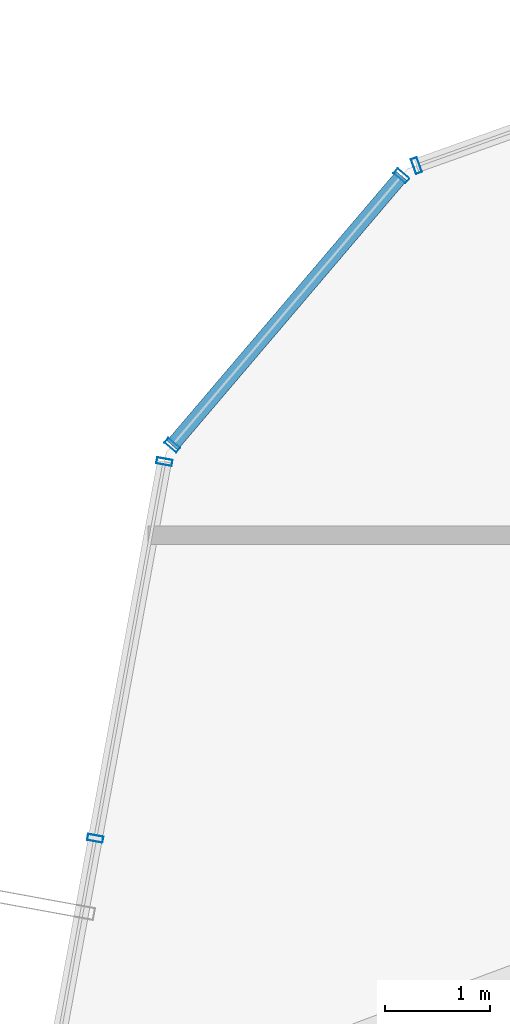
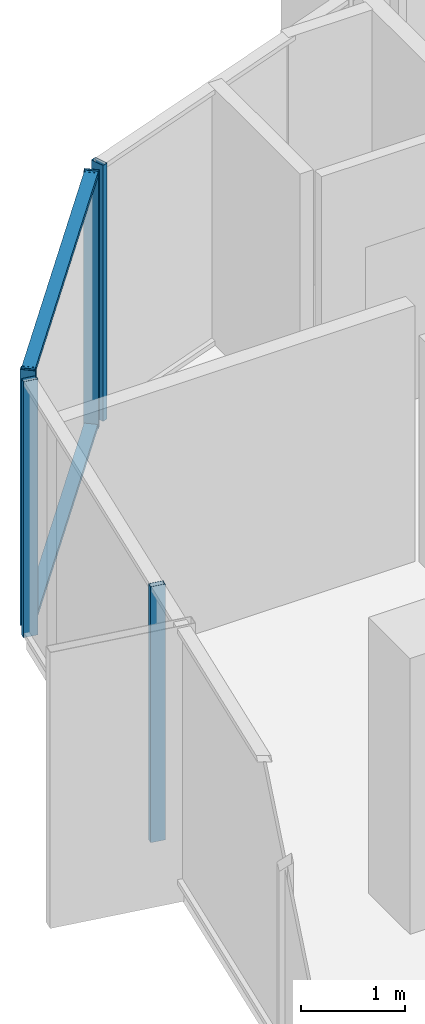
# One storey, part 14 of 29: 7 members, 3 elements without a shape of their own.
"""IFC4 building model written with IfcOpenShell, lengths in metres."""

from ifc_helpers import new_model, si_unit, direction, frame, origin, origin_2d, place, context, subcontext, project, spatial, hollow_rectangle, extrude, source, transform, mapped, material, layer, layer_set, material_profile, profile_set, type_object, element, aggregate, save


model = new_model("IFC4")

# Units and contexts
model_context = context("Model", 3, precision=1e-05, world=origin(), true_north=direction((0.0, 1.0)))
body_context = subcontext(model_context, "Body", "Model", "MODEL_VIEW")
ifc_project = project(units=[si_unit("LENGTHUNIT", "METRE"), si_unit("AREAUNIT", "SQUARE_METRE"), si_unit("VOLUMEUNIT", "CUBIC_METRE"), si_unit("PLANEANGLEUNIT", "RADIAN"), si_unit("MASSUNIT", "GRAM", prefix="KILO")], contexts=[model_context])

# Site, building, storey
site_placement = place(None, origin())
site = spatial("IfcSite", under=ifc_project, at=site_placement, CompositionType="ELEMENT")
building_placement = place(site_placement, origin())
building = spatial("IfcBuilding", under=site, at=building_placement, Name="Veraguas Prism Commons", CompositionType="ELEMENT")
storey_placement = place(building_placement, frame((0.0, 0.0, 244.75)))
storey = spatial("IfcBuildingStorey", under=building, at=storey_placement, Name="L69", CompositionType="ELEMENT", Elevation=244.75)

# Curtain wall, member
ifc_material = material(Name="Anodised aluminium EN AW-6063 T6", Category="aluminium")
ifc_layer = layer(ifc_material, 0.14990234375, Name="Unitised Flush Curtain Wall Zone 4", Category="aluminium")
ifc_layer_set = layer_set([ifc_layer], Name="Anodised aluminium EN AW-6063 T6")
curtain_wall_type = type_object("IfcCurtainWallType", Name="Unitised Flush Curtain Wall Zone 4", PredefinedType="NOTDEFINED", material=ifc_layer_set)
curtain_wall_1_placement = place(storey_placement, origin())
curtain_wall_1 = element("IfcCurtainWall", 1, at=curtain_wall_1_placement, inside=storey, type_object=curtain_wall_type, Name="Tower Facade Curtain Wall L69-F2", PredefinedType="NOTDEFINED")
ifc_material_profile_1 = material_profile(ifc_material, hollow_rectangle(XDim=0.06005859375, YDim=0.14990234375, WallThickness=0.0029296875, at=origin_2d()), Name="AL60X150X3")
ifc_profile_set_1 = profile_set([ifc_material_profile_1], Name="Anodised aluminium EN AW-6063 T6")
member_type_1 = type_object("IfcMemberType", Name="Curtain Wall Mullion Upper AL 60x150x3", PredefinedType="MULLION", material=ifc_profile_set_1)
shared_shape_1 = source(origin(), body_context, "Body", "SweptSolid", [
    extrude(hollow_rectangle(XDim=0.06005859375, YDim=0.14990234375, WallThickness=0.0029296875, at=origin_2d()), origin(), (0.0, 0.0, 1.0), 3.014892578125),
])
member_1_placement = place(storey_placement, frame((11.55322265625, 37.034423828125, 0.0), z_axis=(0.0, 0.0, 1.0), x_axis=(-0.942055696354, -0.335456502347, 0.0)))
member_1 = element("IfcMember", 2, at=member_1_placement, type_object=member_type_1, Name="CW-Z4 Mullion 5", PredefinedType="MULLION", context=body_context, shape_type="MappedRepresentation", body=[
    mapped(shared_shape_1, transform((0.0, 0.0, 0.0), scale=1.0)),
])
aggregate(curtain_wall_1, [member_1])

# Curtain wall, members
curtain_wall_2_placement = place(storey_placement, origin())
curtain_wall_2 = element("IfcCurtainWall", 3, at=curtain_wall_2_placement, inside=storey, type_object=curtain_wall_type, Name="Tower Facade Curtain Wall L69-F3", PredefinedType="NOTDEFINED")
member_2_placement = place(storey_placement, frame((9.143310546875, 34.202880859375, 0.0), z_axis=(0.0, 0.0, 1.0), x_axis=(-0.180524295216, -0.983570525604, 0.0)))
member_2 = element("IfcMember", 4, at=member_2_placement, type_object=member_type_1, Name="CW-Z4 Mullion 1", PredefinedType="MULLION", context=body_context, shape_type="MappedRepresentation", body=[
    mapped(shared_shape_1, transform((0.0, 0.0, 0.0), scale=1.0)),
])
member_3_placement = place(storey_placement, frame((8.482177734375, 30.601318359375, 0.0), z_axis=(0.0, 0.0, 1.0), x_axis=(-0.180524295216, -0.983570525604, 0.0)))
member_3 = element("IfcMember", 5, at=member_3_placement, type_object=member_type_1, Name="CW-Z4 Mullion 2", PredefinedType="MULLION", context=body_context, shape_type="MappedRepresentation", body=[
    mapped(shared_shape_1, transform((0.0, 0.0, 0.0), scale=1.0)),
])
aggregate(curtain_wall_2, [member_2, member_3])

curtain_wall_3_placement = place(storey_placement, origin())
curtain_wall_3 = element("IfcCurtainWall", 6, at=curtain_wall_3_placement, inside=storey, type_object=curtain_wall_type, Name="Chamfer Curtain Wall L69-C3", PredefinedType="NOTDEFINED")
member_4_placement = place(storey_placement, frame((11.41015625, 36.935546875, 0.0), z_axis=(0.0, 0.0, 1.0), x_axis=(-0.648125217588, -0.761533782788, 0.0)))
member_4 = element("IfcMember", 7, at=member_4_placement, type_object=member_type_1, Name="CW-Z4 Mullion 1", PredefinedType="MULLION", context=body_context, shape_type="MappedRepresentation", body=[
    mapped(shared_shape_1, transform((0.0, 0.0, 0.0), scale=1.0)),
])
member_5_placement = place(storey_placement, frame((9.2177734375, 34.35986328125, 0.0), z_axis=(0.0, 0.0, 1.0), x_axis=(-0.648125217588, -0.761533782788, 0.0)))
member_5 = element("IfcMember", 8, at=member_5_placement, type_object=member_type_1, Name="CW-Z4 Mullion 2", PredefinedType="MULLION", context=body_context, shape_type="MappedRepresentation", body=[
    mapped(shared_shape_1, transform((0.0, 0.0, 0.0), scale=1.0)),
])
ifc_material_profile_2 = material_profile(ifc_material, hollow_rectangle(XDim=0.054931640625, YDim=0.135009765625, WallThickness=0.0029296875, at=origin_2d()), Name="AL55X135X3")
ifc_profile_set_2 = profile_set([ifc_material_profile_2], Name="Anodised aluminium EN AW-6063 T6")
member_type_2 = type_object("IfcMemberType", Name="Curtain Wall Transom Standard AL 55x135x3", PredefinedType="USERDEFINED", material=ifc_profile_set_2)
shared_shape_2 = source(origin(), body_context, "Body", "SweptSolid", [
    extrude(hollow_rectangle(XDim=0.054931640625, YDim=0.135009765625, WallThickness=0.0029296875, at=origin_2d()), origin(), (0.0, 0.0, 1.0), 3.38232421875),
])
member_6_placement = place(storey_placement, frame((11.41015625, 36.935546875, 0.027587890625), z_axis=(-0.648172066168, -0.761493908472, 0.0), x_axis=(0.0, 0.0, 1.0)))
member_6 = element("IfcMember", 9, at=member_6_placement, type_object=member_type_2, Name="CW-Z4 Transom 1", ObjectType="TRANSOM", PredefinedType="USERDEFINED", context=body_context, shape_type="MappedRepresentation", body=[
    mapped(shared_shape_2, transform((0.0, 0.0, 0.0), scale=1.0)),
])
member_7_placement = place(storey_placement, frame((11.41015625, 36.935546875, 2.987548828125), z_axis=(-0.648172066168, -0.761493908472, 0.0), x_axis=(0.0, 0.0, 1.0)))
member_7 = element("IfcMember", 10, at=member_7_placement, type_object=member_type_2, Name="CW-Z4 Transom 2", ObjectType="TRANSOM", PredefinedType="USERDEFINED", context=body_context, shape_type="MappedRepresentation", body=[
    mapped(shared_shape_2, transform((0.0, 0.0, 0.0), scale=1.0)),
])
aggregate(curtain_wall_3, [member_4, member_5, member_6, member_7])

save(model, "model.ifc")
